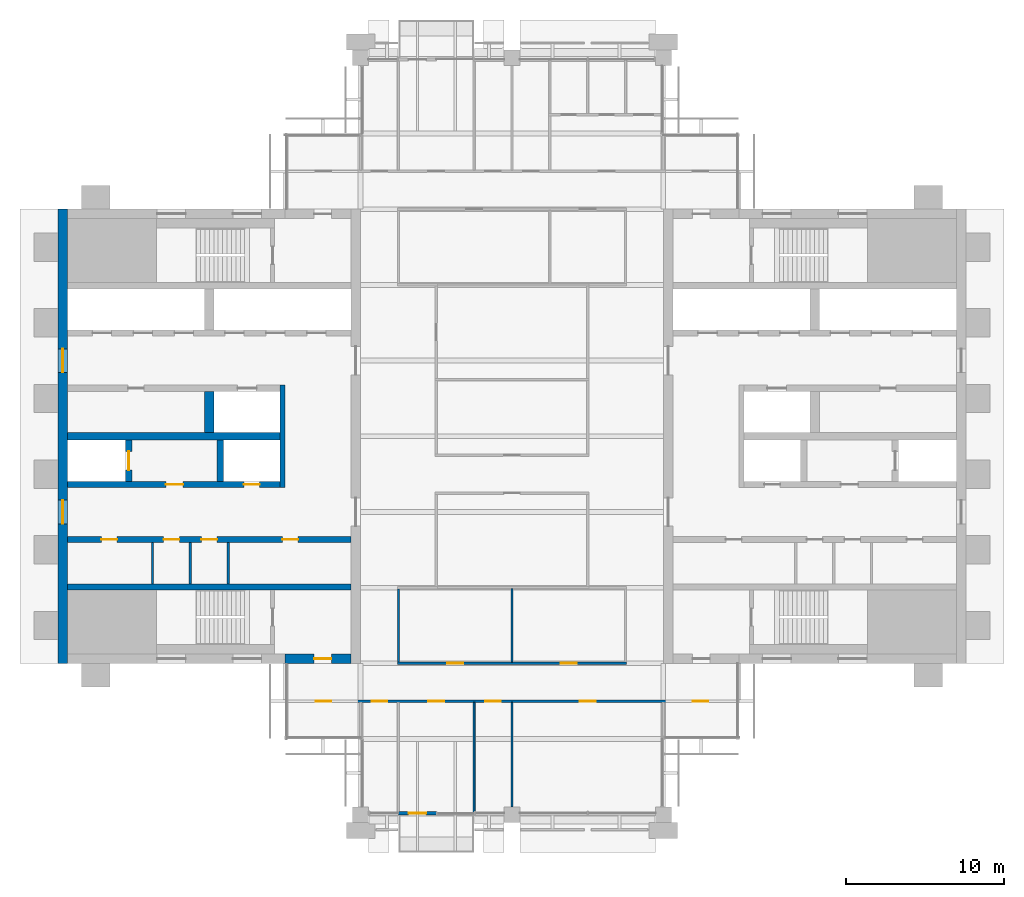
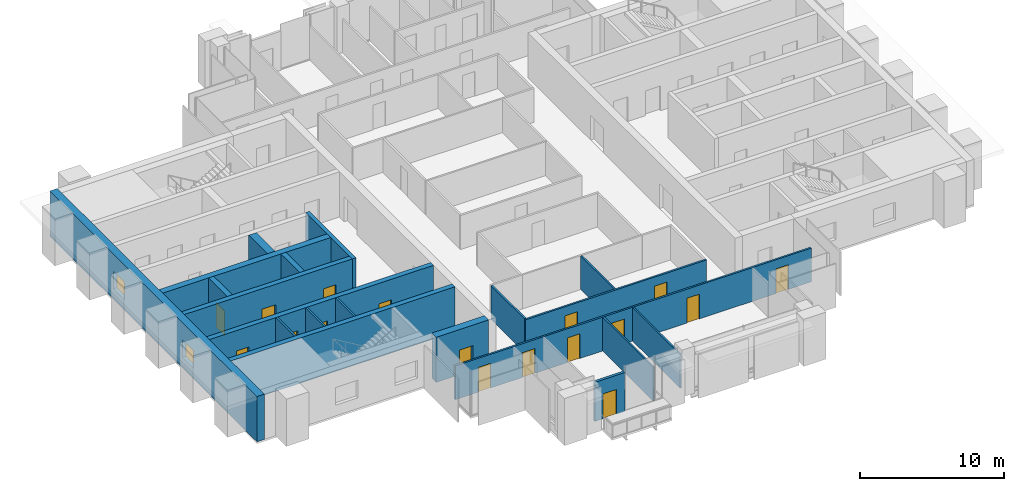
# One storey, part 8 of 13: 20 walls, 17 doors, 2 windows, 19 openings.
"""IFC4 building model written with IfcOpenShell, lengths in metres."""

import ifcopenshell
import ifcopenshell.guid

model = None  # the IFC model being written
_history = None  # IfcOwnerHistory: only IFC2X3 demands one
_inside = {}  # id of a spatial element -> (the spatial element, [elements in it])
_under = {}  # id of a project, library or spatial element -> (it, [spatial elements below it])
_declared = {}  # id of a project -> (the project, [libraries it declares])
_typed = {}  # id of a type object -> (the type object, [elements of that type])
_made_of = {}  # id of a material, layer set ... -> (it, [elements and type objects made of it])


def new_model(schema):
    """Start an empty IFC model of exactly this schema.

    Asked for "IFC4X3", IfcOpenShell would pick the latest addendum, in which some entities
    have other attributes; the version numbers below select the first issue.
    IFC2X3 requires an IfcOwnerHistory on every rooted entity: one is made here for all.
    """
    global model, _history
    if schema == "IFC4X3":
        model = ifcopenshell.file(schema_version=(4, 3, 0, 0))
    else:
        model = ifcopenshell.file(schema=schema)
    _inside.clear()
    _under.clear()
    _declared.clear()
    _typed.clear()
    _made_of.clear()
    _history = None
    if model.schema == "IFC2X3":
        org = make("IfcOrganization", Name="unknown")
        user = make(
            "IfcPersonAndOrganization",
            ThePerson=make("IfcPerson", FamilyName="unknown"),
            TheOrganization=org,
        )
        app = make(
            "IfcApplication",
            ApplicationDeveloper=org,
            Version="unknown",
            ApplicationFullName="unknown",
            ApplicationIdentifier="unknown",
        )
        _history = make(
            "IfcOwnerHistory",
            OwningUser=user,
            OwningApplication=app,
            ChangeAction="ADDED",
            CreationDate=0,
        )
    return model


def make(cls, **values):
    """One entity of the class cls with the attributes given. An attribute that is None is left unset."""
    return model.create_entity(
        cls, **{name: value for name, value in values.items() if value is not None}
    )


def rooted(cls, **values):
    """An entity with a GlobalId (a new one), such as an element, a storey or a relation."""
    return make(cls, GlobalId=ifcopenshell.guid.new(), OwnerHistory=_history, **values)


def si_unit(unit_type, name, prefix=None):
    """IfcSIUnit, for example si_unit("LENGTHUNIT", "METRE", prefix="MILLI")."""
    return make("IfcSIUnit", UnitType=unit_type, Prefix=prefix, Name=name)


def assignment(units):
    """IfcUnitAssignment: the units of a project."""
    return None if units is None else make("IfcUnitAssignment", Units=units)


def point(xyz):
    """IfcCartesianPoint."""
    return None if xyz is None else make("IfcCartesianPoint", Coordinates=xyz)


def direction(xyz):
    """IfcDirection."""
    return None if xyz is None else make("IfcDirection", DirectionRatios=xyz)


def frame(location, z_axis=None, x_axis=None):
    """IfcAxis2Placement3D, a coordinate frame: its origin and axes. An axis left out is left unset."""
    return make(
        "IfcAxis2Placement3D",
        Location=point(location),
        Axis=direction(z_axis),
        RefDirection=direction(x_axis),
    )


def frame_2d(location, x_axis=None):
    """IfcAxis2Placement2D, a coordinate frame in the plane: its origin and x axis."""
    return make(
        "IfcAxis2Placement2D", Location=point(location), RefDirection=direction(x_axis)
    )


def origin():
    """The frame at (0, 0, 0) with its axes left unset."""
    return frame((0.0, 0.0, 0.0))


def place(relative_to, where):
    """IfcLocalPlacement: puts the frame where relative to a parent placement (None: the world)."""
    return make(
        "IfcLocalPlacement", PlacementRelTo=relative_to, RelativePlacement=where
    )


def context(
    kind, dimensions, precision=None, world=None, true_north=None, identifier=None
):
    """IfcGeometricRepresentationContext, for example the 3D "Model" context."""
    return make(
        "IfcGeometricRepresentationContext",
        ContextIdentifier=identifier,
        ContextType=kind,
        CoordinateSpaceDimension=dimensions,
        Precision=precision,
        WorldCoordinateSystem=world,
        TrueNorth=true_north,
    )


def subcontext(parent, identifier, kind, view, scale=None):
    """IfcGeometricRepresentationSubContext, for example "Body" below "Model"."""
    return make(
        "IfcGeometricRepresentationSubContext",
        ContextIdentifier=identifier,
        ContextType=kind,
        ParentContext=parent,
        TargetScale=scale,
        TargetView=view,
    )


def project(units=None, contexts=None):
    """IfcProject with its units and contexts."""
    return rooted(
        "IfcProject",
        Name="project",
        RepresentationContexts=contexts,
        UnitsInContext=assignment(units),
    )


def spatial(cls, under=None, at=None, **own):
    """A site, building, storey or space (cls), placed at a placement, below another one or the project."""
    s = rooted(cls, ObjectPlacement=at, **own)
    if under is not None:
        _under.setdefault(under.id(), (under, []))[1].append(s)
    return s


def profile(cls, at=None, kind="AREA", **sizes):
    """A parametric profile (cls). Its sizes go by their IFC names, for example OverallWidth=200.0."""
    return make(cls, ProfileType=kind, Position=at, **sizes)


def rectangle(**sizes):
    """IfcRectangleProfileDef."""
    return profile("IfcRectangleProfileDef", **sizes)


def extrude(swept, where, along, depth):
    """IfcExtrudedAreaSolid: the profile swept, set in the frame where, extruded along a direction by depth."""
    return make(
        "IfcExtrudedAreaSolid",
        SweptArea=swept,
        Position=where,
        ExtrudedDirection=direction(along),
        Depth=depth,
    )


def shape(context_of_items, identifier, shape_type, items):
    """IfcShapeRepresentation: the items that make up one representation, for example the "Body"."""
    return make(
        "IfcShapeRepresentation",
        ContextOfItems=context_of_items,
        RepresentationIdentifier=identifier,
        RepresentationType=shape_type,
        Items=items,
    )


def material(Name=None, Category=None):
    """IfcMaterial."""
    return make("IfcMaterial", Name=Name, Category=Category)


def layer(
    of_material, thickness, ventilated=None, Name=None, Category=None, Priority=None
):
    """IfcMaterialLayer: one layer of a wall or slab, of a material (None: an air gap)."""
    return make(
        "IfcMaterialLayer",
        Material=of_material,
        LayerThickness=thickness,
        IsVentilated=ventilated,
        Name=Name,
        Category=Category,
        Priority=Priority,
    )


def layer_set(layers, Name=None):
    """IfcMaterialLayerSet."""
    return make("IfcMaterialLayerSet", MaterialLayers=layers, LayerSetName=Name)


def made_of(thing, what):
    """Note that an element or type object is made of a material, layer set ...; save() writes the relation."""
    if what is not None:
        _made_of.setdefault(what.id(), (what, []))[1].append(thing)
    return thing


def type_object(cls, material=None, **own):
    """A type object (cls), such as IfcWallType, which elements share."""
    return made_of(rooted(cls, **own), material)


def element(
    cls,
    number,
    at=None,
    inside=None,
    cuts=None,
    type_object=None,
    material=None,
    context=None,
    identifier="Body",
    shape_type=None,
    held_by="IfcProductDefinitionShape",
    body=None,
    shapes=None,
    **own,
):
    """One element of the class cls, such as IfcWall. Its Tag is "e" and its number.

    at: its placement. inside: the storey or other place that contains it. cuts: it is an
    opening in that element (IfcRelVoidsElement). A single representation is given by context,
    identifier, shape_type and body (its items); several are given by shapes. held_by: the class
    of the entity that holds the representations. save() writes the other relations.
    """
    e = rooted(cls, Tag="e%d" % number, ObjectPlacement=at, **own)
    if body is not None:
        shapes = [shape(context, identifier, shape_type, body)]
    if shapes is not None:
        e.Representation = make(held_by, Representations=shapes)
    if inside is not None:
        _inside.setdefault(inside.id(), (inside, []))[1].append(e)
    if cuts is not None:
        rooted(
            "IfcRelVoidsElement", RelatingBuildingElement=cuts, RelatedOpeningElement=e
        )
    if type_object is not None:
        _typed.setdefault(type_object.id(), (type_object, []))[1].append(e)
    return made_of(e, material)


def fill(opening, filler):
    """IfcRelFillsElement: the door or window that sits in an opening."""
    return rooted(
        "IfcRelFillsElement",
        RelatingOpeningElement=opening,
        RelatedBuildingElement=filler,
    )


def aggregate(whole, parts):
    """IfcRelAggregates: a whole, such as a stair, and the parts it consists of."""
    return rooted("IfcRelAggregates", RelatingObject=whole, RelatedObjects=parts)


def save(model, path):
    """Write the relations noted so far, then the file.

    IfcRelAggregates (storeys below a building ...), IfcRelContainedInSpatialStructure (elements
    in a storey), IfcRelDefinesByType, IfcRelAssociatesMaterial and IfcRelDeclares: one each for
    every whole, place, type object, material and project.
    """
    for whole, parts in _under.values():
        aggregate(whole, parts)
    for where, things in _inside.values():
        rooted(
            "IfcRelContainedInSpatialStructure",
            RelatedElements=things,
            RelatingStructure=where,
        )
    for kind, things in _typed.values():
        rooted("IfcRelDefinesByType", RelatedObjects=things, RelatingType=kind)
    for what, things in _made_of.values():
        rooted("IfcRelAssociatesMaterial", RelatedObjects=things, RelatingMaterial=what)
    for by, libraries in _declared.values():
        rooted("IfcRelDeclares", RelatingContext=by, RelatedDefinitions=libraries)
    model.write(path)


model = new_model("IFC4")

# Units and contexts
model_context = context("Model", 3, precision=1e-05, world=origin(), true_north=direction((0.0, 1.0)))
body_context = subcontext(model_context, "Body", "Model", "MODEL_VIEW")
ifc_project = project(units=[si_unit("LENGTHUNIT", "METRE"), si_unit("AREAUNIT", "SQUARE_METRE"), si_unit("VOLUMEUNIT", "CUBIC_METRE"), si_unit("PLANEANGLEUNIT", "RADIAN"), si_unit("MASSUNIT", "GRAM", prefix="KILO")], contexts=[model_context])

# Site, building, storey
site_placement = place(None, origin())
site = spatial("IfcSite", under=ifc_project, at=site_placement, CompositionType="ELEMENT")
building_placement = place(site_placement, origin())
building = spatial("IfcBuilding", under=site, at=building_placement, Name="Baori Bourse Tower", CompositionType="ELEMENT")
storey_placement = place(building_placement, frame((0.0, 0.0, 314.300048828125)))
storey = spatial("IfcBuildingStorey", under=building, at=storey_placement, Name="L69", CompositionType="ELEMENT", Elevation=314.300048828125)

# Walls
ifc_material_1 = material(Name="Blockwork partition", Category="masonry")
ifc_layer_1 = layer(ifc_material_1, 0.14990234375)
ifc_layer_set_1 = layer_set([ifc_layer_1], Name="Core partition 150")
wall_type_1 = type_object("IfcWallType", Name="Core partition 150", PredefinedType="PARTITIONING", material=ifc_layer_set_1)
for number, where, z_axis, x_axis, name in (
    (1, (6.0, 14.64990234375, 0.0), (0.0, 0.0, 1.0), (0.0, 1.0, 0.0), "Partition wall W09"),
    (2, (8.39990234375, 14.64990234375, 0.0), (0.0, 0.0, 1.0), (0.0, 1.0, 0.0), "Partition wall W10"),
    (3, (10.800048828125, 14.64990234375, 0.0), (0.0, 0.0, 1.0), (0.0, 1.0, 0.0), "Partition wall W11"),
):
    element("IfcWall", number, at=place(storey_placement, frame(where, z_axis=z_axis, x_axis=x_axis)), inside=storey, type_object=wall_type_1, Name=name, PredefinedType="PARTITIONING", context=body_context, shape_type="SweptSolid", body=[
        extrude(rectangle(XDim=2.60009765625, YDim=0.14990234375, at=frame_2d((1.300048828125, 0.0))), origin(), (0.0, 0.0, 1.0), 3.83984375),
    ])

# Wall, openings, windows
ifc_material_2 = material(Name="Concrete f'c 40 MPa", Category="concrete")
ifc_layer_2 = layer(ifc_material_2, 0.60009765625)
ifc_layer_set_2 = layer_set([ifc_layer_2], Name="Core wall 600 f'c 40")
wall_type_2 = type_object("IfcWallType", Name="Core wall 600 f'c 40", PredefinedType="SHEAR", material=ifc_layer_set_2)
wall_1_placement = place(storey_placement, frame((0.300048828125, 9.60009765625, 0.0), z_axis=(0.0, 0.0, 1.0), x_axis=(0.0, 1.0, 0.0)))
wall_1 = element("IfcWall", 4, at=wall_1_placement, inside=storey, type_object=wall_type_2, Name="Core wall W01", PredefinedType="SHEAR", context=body_context, shape_type="SweptSolid", body=[
    extrude(rectangle(XDim=28.7998046875, YDim=0.60009765625, at=frame_2d((14.39990234375, 0.0))), origin(), (0.0, 0.0, 1.0), 3.83984375),
])
opening_1_placement = place(wall_1_placement, frame((8.85009765625, 0.0, 0.89990234375)))
opening_1 = element("IfcOpeningElement", 5, at=opening_1_placement, cuts=wall_1, Name="Opening L69-KW101", PredefinedType="OPENING", context=body_context, shape_type="SweptSolid", body=[
    extrude(rectangle(XDim=1.5, YDim=1.5, at=frame_2d((0.75, 0.75))), frame((0.0, 0.31005859375, 0.0), z_axis=(0.0, -1.0, 0.0), x_axis=(1.0, 0.0, 0.0)), (0.0, 0.0, 1.0), 0.6201171875),
])
opening_2_placement = place(wall_1_placement, frame((18.449951171875, 0.0, 0.89990234375)))
opening_2 = element("IfcOpeningElement", 6, at=opening_2_placement, cuts=wall_1, Name="Opening L69-KW102", PredefinedType="OPENING", context=body_context, shape_type="SweptSolid", body=[
    extrude(rectangle(XDim=1.5, YDim=1.5, at=frame_2d((0.75, 0.75))), frame((0.0, 0.31005859375, 0.0), z_axis=(0.0, -1.0, 0.0), x_axis=(1.0, 0.0, 0.0)), (0.0, 0.0, 1.0), 0.6201171875),
])
ifc_material_3 = material(Name="Pale anodised aluminium", Category="aluminium")
window_type = type_object("IfcWindowType", Name="Lobby window 1500 x 1500", PartitioningType="SINGLE_PANEL", PredefinedType="WINDOW", material=ifc_material_3)
window_1_placement = place(opening_1_placement, origin())
window_1 = element("IfcWindow", 7, at=window_1_placement, inside=storey, type_object=window_type, Name="Outer wall window W L69 1", OverallHeight=1.5, OverallWidth=1.5, PartitioningType="SINGLE_PANEL", PredefinedType="WINDOW", context=body_context, shape_type="SweptSolid", body=[
    extrude(rectangle(XDim=1.5, YDim=1.5, at=frame_2d((0.75, 0.75))), frame((0.0, 0.030029296875, 0.0), z_axis=(0.0, -1.0, 0.0), x_axis=(1.0, 0.0, 0.0)), (0.0, 0.0, 1.0), 0.06005859375),
])
fill(opening_1, window_1)
window_2_placement = place(opening_2_placement, origin())
window_2 = element("IfcWindow", 8, at=window_2_placement, inside=storey, type_object=window_type, Name="Outer wall window W L69 2", OverallHeight=1.5, OverallWidth=1.5, PartitioningType="SINGLE_PANEL", PredefinedType="WINDOW", context=body_context, shape_type="SweptSolid", body=[
    extrude(rectangle(XDim=1.5, YDim=1.5, at=frame_2d((0.75, 0.75))), frame((0.0, 0.030029296875, 0.0), z_axis=(0.0, -1.0, 0.0), x_axis=(1.0, 0.0, 0.0)), (0.0, 0.0, 1.0), 0.06005859375),
])
fill(opening_2, window_2)

# Wall, opening, door
wall_2_placement = place(storey_placement, frame((18.60009765625, 9.89990234375, 0.0), z_axis=(0.0, 0.0, 1.0), x_axis=(-1.0, 0.0, 0.0)))
wall_2 = element("IfcWall", 9, at=wall_2_placement, inside=storey, type_object=wall_type_2, Name="Core wall W03", PredefinedType="SHEAR", context=body_context, shape_type="SweptSolid", body=[
    extrude(rectangle(XDim=4.2001953125, YDim=0.60009765625, at=frame_2d((2.10009765625, 0.0))), origin(), (0.0, 0.0, 1.0), 3.83984375),
])
opening_3_placement = place(wall_2_placement, frame((1.25, 0.0, 0.0)))
opening_3 = element("IfcOpeningElement", 10, at=opening_3_placement, cuts=wall_2, Name="Opening L69-D102", PredefinedType="OPENING", context=body_context, shape_type="SweptSolid", body=[
    extrude(rectangle(XDim=1.10009765625, YDim=2.10009765625, at=frame_2d((0.550048828125, 1.050048828125))), frame((0.0, 0.31005859375, 0.0), z_axis=(0.0, -1.0, 0.0), x_axis=(1.0, 0.0, 0.0)), (0.0, 0.0, 1.0), 0.6201171875),
])
ifc_material_4 = material(Name="Painted steel door", Category="steel")
door_type_1 = type_object("IfcDoorType", Name="Stair door 1100", OperationType="SINGLE_SWING_LEFT", PredefinedType="DOOR", material=ifc_material_4)
door_1_placement = place(opening_3_placement, origin())
door_1 = element("IfcDoor", 11, at=door_1_placement, inside=storey, type_object=door_type_1, Name="Stair vestibule door A W L69", OperationType="SINGLE_SWING_LEFT", OverallHeight=2.10009765625, OverallWidth=1.10009765625, PredefinedType="DOOR", context=body_context, shape_type="SweptSolid", body=[
    extrude(rectangle(XDim=1.10009765625, YDim=2.10009765625, at=frame_2d((0.550048828125, 1.050048828125))), frame((0.0, 0.02490234375, 0.0), z_axis=(0.0, -1.0, 0.0), x_axis=(1.0, 0.0, 0.0)), (0.0, 0.0, 1.0), 0.050048828125),
])
fill(opening_3, door_1)

# Wall, openings, doors
ifc_material_5 = material(Name="Gypsum board partition")
ifc_layer_3 = layer(ifc_material_5, 0.14990234375)
ifc_layer_set_3 = layer_set([ifc_layer_3], Name="Corridor partition 150")
wall_type_3 = type_object("IfcWallType", Name="Corridor partition 150", PredefinedType="PARTITIONING", material=ifc_layer_set_3)
wall_3_placement = place(storey_placement, frame((14.5, 7.199951171875, 0.0), z_axis=(0.0, 0.0, 1.0), x_axis=(1.0, 0.0, 0.0)))
wall_3 = element("IfcWall", 12, at=wall_3_placement, inside=storey, type_object=wall_type_3, Name="Partition", PredefinedType="PARTITIONING", context=body_context, shape_type="SweptSolid", body=[
    extrude(rectangle(XDim=28.60009765625, YDim=0.14990234375, at=frame_2d((14.300048828125, 0.0))), origin(), (0.0, 0.0, 1.0), 2.86962890625),
])
opening_4_placement = place(wall_3_placement, frame((1.85009765625, 0.0, 0.0)))
opening_4 = element("IfcOpeningElement", 13, at=opening_4_placement, cuts=wall_3, Name="Opening L69-D01", PredefinedType="OPENING", context=body_context, shape_type="SweptSolid", body=[
    extrude(rectangle(XDim=1.0, YDim=2.10009765625, at=frame_2d((0.5, 1.050048828125))), frame((0.0, 0.0849609375, 0.0), z_axis=(0.0, -1.0, 0.0), x_axis=(1.0, 0.0, 0.0)), (0.0, 0.0, 1.0), 0.169921875),
])
opening_5_placement = place(wall_3_placement, frame((5.39990234375, 0.0, 0.0)))
opening_5 = element("IfcOpeningElement", 14, at=opening_5_placement, cuts=wall_3, Name="Opening L69-D02", PredefinedType="OPENING", context=body_context, shape_type="SweptSolid", body=[
    extrude(rectangle(XDim=1.0, YDim=2.10009765625, at=frame_2d((0.5, 1.050048828125))), frame((0.0, 0.0849609375, 0.0), z_axis=(0.0, -1.0, 0.0), x_axis=(1.0, 0.0, 0.0)), (0.0, 0.0, 1.0), 0.169921875),
])
opening_6_placement = place(wall_3_placement, frame((9.0, 0.0, 0.0)))
opening_6 = element("IfcOpeningElement", 15, at=opening_6_placement, cuts=wall_3, Name="Opening L69-D03", PredefinedType="OPENING", context=body_context, shape_type="SweptSolid", body=[
    extrude(rectangle(XDim=1.0, YDim=2.10009765625, at=frame_2d((0.5, 1.050048828125))), frame((0.0, 0.0849609375, 0.0), z_axis=(0.0, -1.0, 0.0), x_axis=(1.0, 0.0, 0.0)), (0.0, 0.0, 1.0), 0.169921875),
])
opening_7_placement = place(wall_3_placement, frame((12.60009765625, 0.0, 0.0)))
opening_7 = element("IfcOpeningElement", 16, at=opening_7_placement, cuts=wall_3, Name="Opening L69-D04", PredefinedType="OPENING", context=body_context, shape_type="SweptSolid", body=[
    extrude(rectangle(XDim=1.0, YDim=2.10009765625, at=frame_2d((0.5, 1.050048828125))), frame((0.0, 0.0849609375, 0.0), z_axis=(0.0, -1.0, 0.0), x_axis=(1.0, 0.0, 0.0)), (0.0, 0.0, 1.0), 0.169921875),
])
opening_8_placement = place(wall_3_placement, frame((18.60009765625, 0.0, 0.0)))
opening_8 = element("IfcOpeningElement", 17, at=opening_8_placement, cuts=wall_3, Name="Opening L69-D05", PredefinedType="OPENING", context=body_context, shape_type="SweptSolid", body=[
    extrude(rectangle(XDim=1.0, YDim=2.10009765625, at=frame_2d((0.5, 1.050048828125))), frame((0.0, 0.0849609375, 0.0), z_axis=(0.0, -1.0, 0.0), x_axis=(1.0, 0.0, 0.0)), (0.0, 0.0, 1.0), 0.169921875),
])
opening_9_placement = place(wall_3_placement, frame((25.75, 0.0, 0.0)))
opening_9 = element("IfcOpeningElement", 18, at=opening_9_placement, cuts=wall_3, Name="Opening L69-D06", PredefinedType="OPENING", context=body_context, shape_type="SweptSolid", body=[
    extrude(rectangle(XDim=1.0, YDim=2.10009765625, at=frame_2d((0.5, 1.050048828125))), frame((0.0, 0.0849609375, 0.0), z_axis=(0.0, -1.0, 0.0), x_axis=(1.0, 0.0, 0.0)), (0.0, 0.0, 1.0), 0.169921875),
])
ifc_material_6 = material(Name="Timber door leaf", Category="wood")
door_type_2 = type_object("IfcDoorType", Name="Door 1000 x 2100", OperationType="SINGLE_SWING_LEFT", PredefinedType="DOOR", material=ifc_material_6)
door_2_placement = place(opening_4_placement, origin())
door_2 = element("IfcDoor", 19, at=door_2_placement, inside=storey, type_object=door_type_2, Name="Door", OperationType="SINGLE_SWING_LEFT", OverallHeight=2.10009765625, OverallWidth=1.0, PredefinedType="DOOR", context=body_context, shape_type="SweptSolid", body=[
    extrude(rectangle(XDim=1.0, YDim=2.10009765625, at=frame_2d((0.5, 1.050048828125))), frame((0.0, 0.02490234375, 0.0), z_axis=(0.0, -1.0, 0.0), x_axis=(1.0, 0.0, 0.0)), (0.0, 0.0, 1.0), 0.050048828125),
])
fill(opening_4, door_2)
door_3_placement = place(opening_5_placement, origin())
door_3 = element("IfcDoor", 20, at=door_3_placement, inside=storey, type_object=door_type_2, Name="Door", OperationType="SINGLE_SWING_LEFT", OverallHeight=2.10009765625, OverallWidth=1.0, PredefinedType="DOOR", context=body_context, shape_type="SweptSolid", body=[
    extrude(rectangle(XDim=1.0, YDim=2.10009765625, at=frame_2d((0.5, 1.050048828125))), frame((0.0, 0.02490234375, 0.0), z_axis=(0.0, -1.0, 0.0), x_axis=(1.0, 0.0, 0.0)), (0.0, 0.0, 1.0), 0.050048828125),
])
fill(opening_5, door_3)
door_4_placement = place(opening_6_placement, origin())
door_4 = element("IfcDoor", 21, at=door_4_placement, inside=storey, type_object=door_type_2, Name="Door", OperationType="SINGLE_SWING_LEFT", OverallHeight=2.10009765625, OverallWidth=1.0, PredefinedType="DOOR", context=body_context, shape_type="SweptSolid", body=[
    extrude(rectangle(XDim=1.0, YDim=2.10009765625, at=frame_2d((0.5, 1.050048828125))), frame((0.0, 0.02490234375, 0.0), z_axis=(0.0, -1.0, 0.0), x_axis=(1.0, 0.0, 0.0)), (0.0, 0.0, 1.0), 0.050048828125),
])
fill(opening_6, door_4)
door_5_placement = place(opening_7_placement, origin())
door_5 = element("IfcDoor", 22, at=door_5_placement, inside=storey, type_object=door_type_2, Name="Door", OperationType="SINGLE_SWING_LEFT", OverallHeight=2.10009765625, OverallWidth=1.0, PredefinedType="DOOR", context=body_context, shape_type="SweptSolid", body=[
    extrude(rectangle(XDim=1.0, YDim=2.10009765625, at=frame_2d((0.5, 1.050048828125))), frame((0.0, 0.02490234375, 0.0), z_axis=(0.0, -1.0, 0.0), x_axis=(1.0, 0.0, 0.0)), (0.0, 0.0, 1.0), 0.050048828125),
])
fill(opening_7, door_5)
door_6_placement = place(opening_8_placement, origin())
door_6 = element("IfcDoor", 23, at=door_6_placement, inside=storey, type_object=door_type_2, Name="Door", OperationType="SINGLE_SWING_RIGHT", OverallHeight=2.10009765625, OverallWidth=1.0, PredefinedType="DOOR", context=body_context, shape_type="SweptSolid", body=[
    extrude(rectangle(XDim=1.0, YDim=2.10009765625, at=frame_2d((0.5, 1.050048828125))), frame((0.0, 0.02490234375, 0.0), z_axis=(0.0, -1.0, 0.0), x_axis=(1.0, 0.0, 0.0)), (0.0, 0.0, 1.0), 0.050048828125),
])
fill(opening_8, door_6)
door_7_placement = place(opening_9_placement, origin())
door_7 = element("IfcDoor", 24, at=door_7_placement, inside=storey, type_object=door_type_2, Name="Door", OperationType="SINGLE_SWING_RIGHT", OverallHeight=2.10009765625, OverallWidth=1.0, PredefinedType="DOOR", context=body_context, shape_type="SweptSolid", body=[
    extrude(rectangle(XDim=1.0, YDim=2.10009765625, at=frame_2d((0.5, 1.050048828125))), frame((0.0, 0.02490234375, 0.0), z_axis=(0.0, -1.0, 0.0), x_axis=(1.0, 0.0, 0.0)), (0.0, 0.0, 1.0), 0.050048828125),
])
fill(opening_9, door_7)

wall_4_placement = place(storey_placement, frame((21.52490234375, 9.60009765625, 0.0), z_axis=(0.0, 0.0, 1.0), x_axis=(1.0, 0.0, 0.0)))
wall_4 = element("IfcWall", 25, at=wall_4_placement, inside=storey, type_object=wall_type_3, Name="Partition", PredefinedType="PARTITIONING", context=body_context, shape_type="SweptSolid", body=[
    extrude(rectangle(XDim=14.550048828125, YDim=0.14990234375, at=frame_2d((7.27490234375, 0.0))), origin(), (0.0, 0.0, 1.0), 2.86962890625),
])
opening_10_placement = place(wall_4_placement, frame((3.175048828125, 0.0, 0.0)))
opening_10 = element("IfcOpeningElement", 26, at=opening_10_placement, cuts=wall_4, Name="Opening L69-D07", PredefinedType="OPENING", context=body_context, shape_type="SweptSolid", body=[
    extrude(rectangle(XDim=1.0, YDim=2.10009765625, at=frame_2d((0.5, 1.050048828125))), frame((0.0, 0.0849609375, 0.0), z_axis=(0.0, -1.0, 0.0), x_axis=(1.0, 0.0, 0.0)), (0.0, 0.0, 1.0), 0.169921875),
])
opening_11_placement = place(wall_4_placement, frame((10.375, 0.0, 0.0)))
opening_11 = element("IfcOpeningElement", 27, at=opening_11_placement, cuts=wall_4, Name="Opening L69-D08", PredefinedType="OPENING", context=body_context, shape_type="SweptSolid", body=[
    extrude(rectangle(XDim=1.0, YDim=2.10009765625, at=frame_2d((0.5, 1.050048828125))), frame((0.0, 0.0849609375, 0.0), z_axis=(0.0, -1.0, 0.0), x_axis=(1.0, 0.0, 0.0)), (0.0, 0.0, 1.0), 0.169921875),
])
door_8_placement = place(opening_10_placement, origin())
door_8 = element("IfcDoor", 28, at=door_8_placement, inside=storey, type_object=door_type_2, Name="Door", OperationType="SINGLE_SWING_RIGHT", OverallHeight=2.10009765625, OverallWidth=1.0, PredefinedType="DOOR", context=body_context, shape_type="SweptSolid", body=[
    extrude(rectangle(XDim=1.0, YDim=2.10009765625, at=frame_2d((0.5, 1.050048828125))), frame((0.0, 0.02490234375, 0.0), z_axis=(0.0, -1.0, 0.0), x_axis=(1.0, 0.0, 0.0)), (0.0, 0.0, 1.0), 0.050048828125),
])
fill(opening_10, door_8)
door_9_placement = place(opening_11_placement, origin())
door_9 = element("IfcDoor", 29, at=door_9_placement, inside=storey, type_object=door_type_2, Name="Door", OperationType="SINGLE_SWING_LEFT", OverallHeight=2.10009765625, OverallWidth=1.0, PredefinedType="DOOR", context=body_context, shape_type="SweptSolid", body=[
    extrude(rectangle(XDim=1.0, YDim=2.10009765625, at=frame_2d((0.5, 1.050048828125))), frame((0.0, 0.02490234375, 0.0), z_axis=(0.0, -1.0, 0.0), x_axis=(1.0, 0.0, 0.0)), (0.0, 0.0, 1.0), 0.050048828125),
])
fill(opening_11, door_9)

# Wall
wall_5_placement = place(storey_placement, frame((21.60009765625, 9.675048828125, 0.0), z_axis=(0.0, 0.0, 1.0), x_axis=(0.0, 1.0, 0.0)))
element("IfcWall", 30, at=wall_5_placement, inside=storey, type_object=wall_type_3, Name="Partition", PredefinedType="PARTITIONING", context=body_context, shape_type="SweptSolid", body=[
    extrude(rectangle(XDim=4.64990234375, YDim=0.14990234375, at=frame_2d((2.324951171875, 0.0))), origin(), (0.0, 0.0, 1.0), 2.86962890625),
])

# Wall, opening, door
ifc_material_7 = material(Name="Pale anodised aluminium", Category="aluminium")
ifc_layer_4 = layer(ifc_material_7, 0.199951171875)
ifc_layer_set_4 = layer_set([ifc_layer_4], Name="EW1 External wall bay")
wall_type_4 = type_object("IfcWallType", Name="EW1 External wall bay", PredefinedType="SOLIDWALL", material=ifc_layer_set_4)
wall_6_placement = place(storey_placement, frame((21.60009765625, 0.10009765625, 0.0), z_axis=(0.0, 0.0, 1.0), x_axis=(1.0, 0.0, 0.0)))
wall_6 = element("IfcWall", 31, at=wall_6_placement, inside=storey, type_object=wall_type_4, Name="External wall bay L69 2", PredefinedType="SOLIDWALL", context=body_context, shape_type="SweptSolid", body=[
    extrude(rectangle(XDim=2.39990234375, YDim=0.199951171875, at=frame_2d((1.199951171875, 0.0))), origin(), (0.0, 0.0, 1.0), 3.314208984375),
])
opening_12_placement = place(wall_6_placement, frame((0.64990234375, 0.0, 0.0)))
opening_12 = element("IfcOpeningElement", 32, at=opening_12_placement, cuts=wall_6, Name="Opening L69-D92", PredefinedType="OPENING", context=body_context, shape_type="SweptSolid", body=[
    extrude(rectangle(XDim=1.10009765625, YDim=2.10009765625, at=frame_2d((0.550048828125, 1.050048828125))), frame((0.0, 0.10986328125, 0.0), z_axis=(0.0, -1.0, 0.0), x_axis=(1.0, 0.0, 0.0)), (0.0, 0.0, 1.0), 0.219970703125),
])
ifc_material_8 = material(Name="Pale anodised aluminium", Category="aluminium")
door_type_3 = type_object("IfcDoorType", Name="BL1 Balcony door", OperationType="SINGLE_SWING_LEFT", PredefinedType="DOOR", material=ifc_material_8)
door_10_placement = place(opening_12_placement, origin())
door_10 = element("IfcDoor", 33, at=door_10_placement, inside=storey, type_object=door_type_3, Name="Balcony door L69 2", OperationType="SINGLE_SWING_LEFT", OverallHeight=2.10009765625, OverallWidth=1.10009765625, PredefinedType="DOOR", context=body_context, shape_type="SweptSolid", body=[
    extrude(rectangle(XDim=1.10009765625, YDim=2.10009765625, at=frame_2d((0.550048828125, 1.050048828125))), frame((0.0, 0.02490234375, 0.0), z_axis=(0.0, -1.0, 0.0), x_axis=(1.0, 0.0, 0.0)), (0.0, 0.0, 1.0), 0.050048828125),
])
fill(opening_12, door_10)

# Walls
ifc_material_9 = material(Name="Gypsum board partition")
ifc_layer_5 = layer(ifc_material_9, 0.125)
ifc_layer_set_5 = layer_set([ifc_layer_5], Name="Partition 125")
wall_type_5 = type_object("IfcWallType", Name="Partition 125", PredefinedType="PARTITIONING", material=ifc_layer_set_5)
wall_7_placement = place(storey_placement, frame((26.39990234375, 0.10009765625, 0.0), z_axis=(0.0, 0.0, 1.0), x_axis=(0.0, 1.0, 0.0)))
element("IfcWall", 34, at=wall_7_placement, inside=storey, type_object=wall_type_5, Name="Partition", PredefinedType="PARTITIONING", context=body_context, shape_type="SweptSolid", body=[
    extrude(rectangle(XDim=7.02490234375, YDim=0.125, at=frame_2d((3.512451171875, 0.0))), origin(), (0.0, 0.0, 1.0), 2.86962890625),
])
wall_8_placement = place(storey_placement, frame((28.800048828125, 0.5, 0.0), z_axis=(0.0, 0.0, 1.0), x_axis=(0.0, 1.0, 0.0)))
element("IfcWall", 35, at=wall_8_placement, inside=storey, type_object=wall_type_5, Name="Partition", PredefinedType="PARTITIONING", context=body_context, shape_type="SweptSolid", body=[
    extrude(rectangle(XDim=6.625, YDim=0.125, at=frame_2d((3.3125, 0.0))), origin(), (0.0, 0.0, 1.0), 2.86962890625),
])
wall_9_placement = place(storey_placement, frame((28.800048828125, 9.675048828125, 0.0), z_axis=(0.0, 0.0, 1.0), x_axis=(0.0, 1.0, 0.0)))
element("IfcWall", 36, at=wall_9_placement, inside=storey, type_object=wall_type_5, Name="Partition", PredefinedType="PARTITIONING", context=body_context, shape_type="SweptSolid", body=[
    extrude(rectangle(XDim=4.662353515625, YDim=0.125, at=frame_2d((2.3310546875, 0.0))), origin(), (0.0, 0.0, 1.0), 2.86962890625),
])
ifc_material_10 = material(Name="Concrete f'c 40 MPa", Category="concrete")
ifc_layer_6 = layer(ifc_material_10, 0.300048828125)
ifc_layer_set_6 = layer_set([ifc_layer_6], Name="Shaft wall 300 f'c 40")
wall_type_6 = type_object("IfcWallType", Name="Shaft wall 300 f'c 40", PredefinedType="SHEAR", material=ifc_layer_set_6)
wall_10_placement = place(storey_placement, frame((14.25, 20.75, 0.0), z_axis=(0.0, 0.0, 1.0), x_axis=(0.0, 1.0, 0.0)))
element("IfcWall", 37, at=wall_10_placement, inside=storey, type_object=wall_type_6, Name="Core wall W14", PredefinedType="SHEAR", context=body_context, shape_type="SweptSolid", body=[
    extrude(rectangle(XDim=6.5, YDim=0.300048828125, at=frame_2d((3.25, 0.0))), origin(), (0.0, 0.0, 1.0), 3.83984375),
])
ifc_material_11 = material(Name="Concrete f'c 40 MPa", Category="concrete")
ifc_layer_7 = layer(ifc_material_11, 0.39990234375)
ifc_layer_set_7 = layer_set([ifc_layer_7], Name="Shaft wall 400 f'c 40")
wall_type_7 = type_object("IfcWallType", Name="Shaft wall 400 f'c 40", PredefinedType="SHEAR", material=ifc_layer_set_7)
wall_11_placement = place(storey_placement, frame((0.60009765625, 14.449951171875, 0.0), z_axis=(0.0, 0.0, 1.0), x_axis=(1.0, 0.0, 0.0)))
element("IfcWall", 38, at=wall_11_placement, inside=storey, type_object=wall_type_7, Name="Core wall W08", PredefinedType="SHEAR", context=body_context, shape_type="SweptSolid", body=[
    extrude(rectangle(XDim=18.0, YDim=0.39990234375, at=frame_2d((9.0, 0.0))), origin(), (0.0, 0.0, 1.0), 3.83984375),
])

# Wall, openings, doors
wall_12_placement = place(storey_placement, frame((0.60009765625, 17.449951171875, 0.0), z_axis=(0.0, 0.0, 1.0), x_axis=(1.0, 0.0, 0.0)))
wall_12 = element("IfcWall", 39, at=wall_12_placement, inside=storey, type_object=wall_type_7, Name="Core wall W12", PredefinedType="SHEAR", context=body_context, shape_type="SweptSolid", body=[
    extrude(rectangle(XDim=18.0, YDim=0.39990234375, at=frame_2d((9.0, 0.0))), origin(), (0.0, 0.0, 1.0), 3.83984375),
])
opening_13_placement = place(wall_12_placement, frame((2.16259765625, 0.0, 0.0)))
opening_13 = element("IfcOpeningElement", 40, at=opening_13_placement, cuts=wall_12, Name="Opening L69-D109", PredefinedType="OPENING", context=body_context, shape_type="SweptSolid", body=[
    extrude(rectangle(XDim=1.0, YDim=2.10009765625, at=frame_2d((0.5, 1.050048828125))), frame((0.0, 0.2099609375, 0.0), z_axis=(0.0, -1.0, 0.0), x_axis=(1.0, 0.0, 0.0)), (0.0, 0.0, 1.0), 0.419921875),
])
opening_14_placement = place(wall_12_placement, frame((6.10009765625, 0.0, 0.0)))
opening_14 = element("IfcOpeningElement", 41, at=opening_14_placement, cuts=wall_12, Name="Opening L69-D110", PredefinedType="OPENING", context=body_context, shape_type="SweptSolid", body=[
    extrude(rectangle(XDim=1.0, YDim=2.10009765625, at=frame_2d((0.5, 1.050048828125))), frame((0.0, 0.2099609375, 0.0), z_axis=(0.0, -1.0, 0.0), x_axis=(1.0, 0.0, 0.0)), (0.0, 0.0, 1.0), 0.419921875),
])
opening_15_placement = place(wall_12_placement, frame((8.5, 0.0, 0.0)))
opening_15 = element("IfcOpeningElement", 42, at=opening_15_placement, cuts=wall_12, Name="Opening L69-D111", PredefinedType="OPENING", context=body_context, shape_type="SweptSolid", body=[
    extrude(rectangle(XDim=1.0, YDim=2.10009765625, at=frame_2d((0.5, 1.050048828125))), frame((0.0, 0.2099609375, 0.0), z_axis=(0.0, -1.0, 0.0), x_axis=(1.0, 0.0, 0.0)), (0.0, 0.0, 1.0), 0.419921875),
])
opening_16_placement = place(wall_12_placement, frame((13.637451171875, 0.0, 0.0)))
opening_16 = element("IfcOpeningElement", 43, at=opening_16_placement, cuts=wall_12, Name="Opening L69-D112", PredefinedType="OPENING", context=body_context, shape_type="SweptSolid", body=[
    extrude(rectangle(XDim=1.0, YDim=2.10009765625, at=frame_2d((0.5, 1.050048828125))), frame((0.0, 0.2099609375, 0.0), z_axis=(0.0, -1.0, 0.0), x_axis=(1.0, 0.0, 0.0)), (0.0, 0.0, 1.0), 0.419921875),
])
ifc_material_12 = material(Name="Painted steel door", Category="steel")
door_type_4 = type_object("IfcDoorType", Name="Core door 1000", OperationType="SINGLE_SWING_LEFT", PredefinedType="DOOR", material=ifc_material_12)
door_11_placement = place(opening_13_placement, origin())
door_11 = element("IfcDoor", 44, at=door_11_placement, inside=storey, type_object=door_type_4, Name="Women'S Wc door W L69", OperationType="SINGLE_SWING_LEFT", OverallHeight=2.10009765625, OverallWidth=1.0, PredefinedType="DOOR", context=body_context, shape_type="SweptSolid", body=[
    extrude(rectangle(XDim=1.0, YDim=2.10009765625, at=frame_2d((0.5, 1.050048828125))), frame((0.0, 0.02490234375, 0.0), z_axis=(0.0, -1.0, 0.0), x_axis=(1.0, 0.0, 0.0)), (0.0, 0.0, 1.0), 0.050048828125),
])
fill(opening_13, door_11)
door_12_placement = place(opening_14_placement, origin())
door_12 = element("IfcDoor", 45, at=door_12_placement, inside=storey, type_object=door_type_4, Name="Accessible Wc door W L69", OperationType="SINGLE_SWING_LEFT", OverallHeight=2.10009765625, OverallWidth=1.0, PredefinedType="DOOR", context=body_context, shape_type="SweptSolid", body=[
    extrude(rectangle(XDim=1.0, YDim=2.10009765625, at=frame_2d((0.5, 1.050048828125))), frame((0.0, 0.02490234375, 0.0), z_axis=(0.0, -1.0, 0.0), x_axis=(1.0, 0.0, 0.0)), (0.0, 0.0, 1.0), 0.050048828125),
])
fill(opening_14, door_12)
door_13_placement = place(opening_16_placement, origin())
door_13 = element("IfcDoor", 46, at=door_13_placement, inside=storey, type_object=door_type_4, Name="Men'S Wc door W L69", OperationType="SINGLE_SWING_LEFT", OverallHeight=2.10009765625, OverallWidth=1.0, PredefinedType="DOOR", context=body_context, shape_type="SweptSolid", body=[
    extrude(rectangle(XDim=1.0, YDim=2.10009765625, at=frame_2d((0.5, 1.050048828125))), frame((0.0, 0.02490234375, 0.0), z_axis=(0.0, -1.0, 0.0), x_axis=(1.0, 0.0, 0.0)), (0.0, 0.0, 1.0), 0.050048828125),
])
fill(opening_16, door_13)
ifc_material_13 = material(Name="Painted steel door", Category="steel")
door_type_5 = type_object("IfcDoorType", Name="Plant room door 1000", OperationType="SINGLE_SWING_LEFT", PredefinedType="DOOR", material=ifc_material_13)
door_14_placement = place(opening_15_placement, origin())
door_14 = element("IfcDoor", 47, at=door_14_placement, inside=storey, type_object=door_type_5, Name="Plumbing Equipment Room door W L69", OperationType="SINGLE_SWING_LEFT", OverallHeight=2.10009765625, OverallWidth=1.0, PredefinedType="DOOR", context=body_context, shape_type="SweptSolid", body=[
    extrude(rectangle(XDim=1.0, YDim=2.10009765625, at=frame_2d((0.5, 1.050048828125))), frame((0.0, 0.02490234375, 0.0), z_axis=(0.0, -1.0, 0.0), x_axis=(1.0, 0.0, 0.0)), (0.0, 0.0, 1.0), 0.050048828125),
])
fill(opening_15, door_14)

wall_13_placement = place(storey_placement, frame((0.60009765625, 20.949951171875, 0.0), z_axis=(0.0, 0.0, 1.0), x_axis=(1.0, 0.0, 0.0)))
wall_13 = element("IfcWall", 48, at=wall_13_placement, inside=storey, type_object=wall_type_7, Name="Core wall W13", PredefinedType="SHEAR", context=body_context, shape_type="SweptSolid", body=[
    extrude(rectangle(XDim=13.5, YDim=0.39990234375, at=frame_2d((6.75, 0.0))), origin(), (0.0, 0.0, 1.0), 3.83984375),
])
opening_17_placement = place(wall_13_placement, frame((6.25, 0.0, 0.0)))
opening_17 = element("IfcOpeningElement", 49, at=opening_17_placement, cuts=wall_13, Name="Opening L69-D105", PredefinedType="OPENING", context=body_context, shape_type="SweptSolid", body=[
    extrude(rectangle(XDim=1.10009765625, YDim=2.10009765625, at=frame_2d((0.550048828125, 1.050048828125))), frame((0.0, 0.2099609375, 0.0), z_axis=(0.0, -1.0, 0.0), x_axis=(1.0, 0.0, 0.0)), (0.0, 0.0, 1.0), 0.419921875),
])
opening_18_placement = place(wall_13_placement, frame((11.199951171875, 0.0, 0.0)))
opening_18 = element("IfcOpeningElement", 50, at=opening_18_placement, cuts=wall_13, Name="Opening L69-D106", PredefinedType="OPENING", context=body_context, shape_type="SweptSolid", body=[
    extrude(rectangle(XDim=1.0, YDim=2.10009765625, at=frame_2d((0.5, 1.050048828125))), frame((0.0, 0.2099609375, 0.0), z_axis=(0.0, -1.0, 0.0), x_axis=(1.0, 0.0, 0.0)), (0.0, 0.0, 1.0), 0.419921875),
])
ifc_material_14 = material(Name="Painted steel door", Category="steel")
door_type_6 = type_object("IfcDoorType", Name="Lobby door 1100", OperationType="SINGLE_SWING_LEFT", PredefinedType="DOOR", material=ifc_material_14)
door_15_placement = place(opening_17_placement, origin())
door_15 = element("IfcDoor", 51, at=door_15_placement, inside=storey, type_object=door_type_6, Name="Firefighting lobby door W L69", OperationType="SINGLE_SWING_LEFT", OverallHeight=2.10009765625, OverallWidth=1.10009765625, PredefinedType="DOOR", context=body_context, shape_type="SweptSolid", body=[
    extrude(rectangle(XDim=1.10009765625, YDim=2.10009765625, at=frame_2d((0.550048828125, 1.050048828125))), frame((0.0, 0.02490234375, 0.0), z_axis=(0.0, -1.0, 0.0), x_axis=(1.0, 0.0, 0.0)), (0.0, 0.0, 1.0), 0.050048828125),
])
fill(opening_17, door_15)
ifc_material_15 = material(Name="Painted steel door", Category="steel")
door_type_7 = type_object("IfcDoorType", Name="Shaft door 1000", OperationType="SINGLE_SWING_LEFT", PredefinedType="DOOR", material=ifc_material_15)
door_16_placement = place(opening_18_placement, origin())
door_16 = element("IfcDoor", 52, at=door_16_placement, inside=storey, type_object=door_type_7, Name="Riser room door W L69", OperationType="SINGLE_SWING_LEFT", OverallHeight=2.10009765625, OverallWidth=1.0, PredefinedType="DOOR", context=body_context, shape_type="SweptSolid", body=[
    extrude(rectangle(XDim=1.0, YDim=2.10009765625, at=frame_2d((0.5, 1.050048828125))), frame((0.0, 0.02490234375, 0.0), z_axis=(0.0, -1.0, 0.0), x_axis=(1.0, 0.0, 0.0)), (0.0, 0.0, 1.0), 0.050048828125),
])
fill(opening_18, door_16)

# Wall, opening, door
wall_14_placement = place(storey_placement, frame((4.5, 21.14990234375, 0.0), z_axis=(0.0, 0.0, 1.0), x_axis=(0.0, 1.0, 0.0)))
wall_14 = element("IfcWall", 53, at=wall_14_placement, inside=storey, type_object=wall_type_7, Name="Core wall W15", PredefinedType="SHEAR", context=body_context, shape_type="SweptSolid", body=[
    extrude(rectangle(XDim=2.60009765625, YDim=0.39990234375, at=frame_2d((1.300048828125, 0.0))), origin(), (0.0, 0.0, 1.0), 3.83984375),
])
opening_19_placement = place(wall_14_placement, frame((0.699951171875, 0.0, 0.0)))
opening_19 = element("IfcOpeningElement", 54, at=opening_19_placement, cuts=wall_14, Name="Opening L69-D121", PredefinedType="OPENING", context=body_context, shape_type="SweptSolid", body=[
    extrude(rectangle(XDim=1.199951171875, YDim=2.10009765625, at=frame_2d((0.60009765625, 1.050048828125))), frame((0.0, 0.2099609375, 0.0), z_axis=(0.0, -1.0, 0.0), x_axis=(1.0, 0.0, 0.0)), (0.0, 0.0, 1.0), 0.419921875),
])
ifc_material_16 = material(Name="Stainless steel door", Category="steel")
door_type_8 = type_object("IfcDoorType", Name="Lift landing door", OperationType="DOUBLE_DOOR_SLIDING", PredefinedType="DOOR", material=ifc_material_16)
door_17_placement = place(opening_19_placement, origin())
door_17 = element("IfcDoor", 55, at=door_17_placement, inside=storey, type_object=door_type_8, Name="Lift landing door FF1 W L69", OperationType="DOUBLE_DOOR_SLIDING", OverallHeight=2.10009765625, OverallWidth=1.199951171875, PredefinedType="DOOR", context=body_context, shape_type="SweptSolid", body=[
    extrude(rectangle(XDim=1.199951171875, YDim=2.10009765625, at=frame_2d((0.60009765625, 1.050048828125))), frame((0.0, 0.02490234375, 0.0), z_axis=(0.0, -1.0, 0.0), x_axis=(1.0, 0.0, 0.0)), (0.0, 0.0, 1.0), 0.050048828125),
])
fill(opening_19, door_17)

# Walls
wall_15_placement = place(storey_placement, frame((10.300048828125, 21.14990234375, 0.0), z_axis=(0.0, 0.0, 1.0), x_axis=(0.0, 1.0, 0.0)))
element("IfcWall", 56, at=wall_15_placement, inside=storey, type_object=wall_type_7, Name="Core wall W16", PredefinedType="SHEAR", context=body_context, shape_type="SweptSolid", body=[
    extrude(rectangle(XDim=2.60009765625, YDim=0.39990234375, at=frame_2d((1.300048828125, 0.0))), origin(), (0.0, 0.0, 1.0), 3.83984375),
])
ifc_material_17 = material(Name="Concrete f'c 40 MPa", Category="concrete")
ifc_layer_8 = layer(ifc_material_17, 0.5)
ifc_layer_set_8 = layer_set([ifc_layer_8], Name="Shaft wall 500 f'c 40")
wall_type_8 = type_object("IfcWallType", Name="Shaft wall 500 f'c 40", PredefinedType="SHEAR", material=ifc_layer_set_8)
wall_16_placement = place(storey_placement, frame((0.60009765625, 24.0, 0.0), z_axis=(0.0, 0.0, 1.0), x_axis=(1.0, 0.0, 0.0)))
element("IfcWall", 57, at=wall_16_placement, inside=storey, type_object=wall_type_8, Name="Core wall W17", PredefinedType="SHEAR", context=body_context, shape_type="SweptSolid", body=[
    extrude(rectangle(XDim=13.5, YDim=0.5, at=frame_2d((6.75, 0.0))), origin(), (0.0, 0.0, 1.0), 3.83984375),
])
ifc_material_18 = material(Name="Concrete f'c 40 MPa", Category="concrete")
ifc_layer_9 = layer(ifc_material_18, 0.60009765625)
ifc_layer_set_9 = layer_set([ifc_layer_9], Name="Shaft wall 600 f'c 40")
wall_type_9 = type_object("IfcWallType", Name="Shaft wall 600 f'c 40", PredefinedType="SHEAR", material=ifc_layer_set_9)
wall_17_placement = place(storey_placement, frame((9.60009765625, 24.25, 0.0), z_axis=(0.0, 0.0, 1.0), x_axis=(0.0, 1.0, 0.0)))
element("IfcWall", 58, at=wall_17_placement, inside=storey, type_object=wall_type_9, Name="Core wall W18", PredefinedType="SHEAR", context=body_context, shape_type="SweptSolid", body=[
    extrude(rectangle(XDim=2.60009765625, YDim=0.60009765625, at=frame_2d((1.300048828125, 0.0))), origin(), (0.0, 0.0, 1.0), 3.83984375),
])

save(model, "model.ifc")
